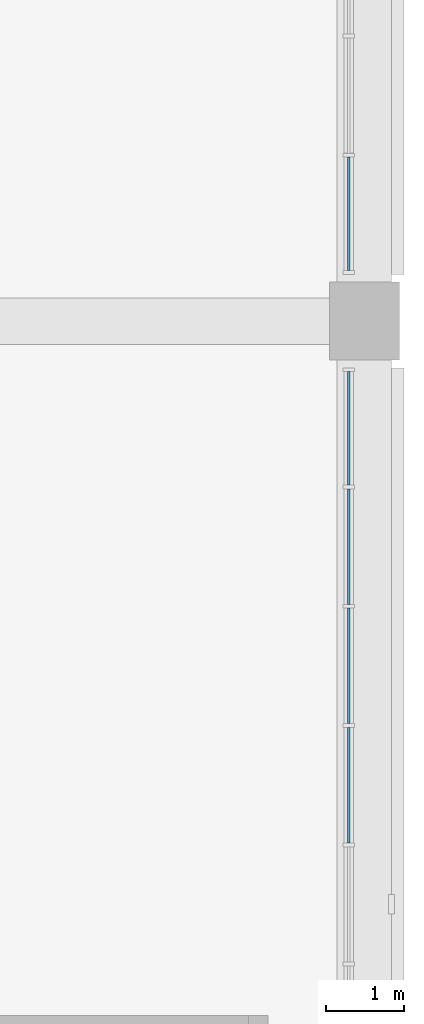
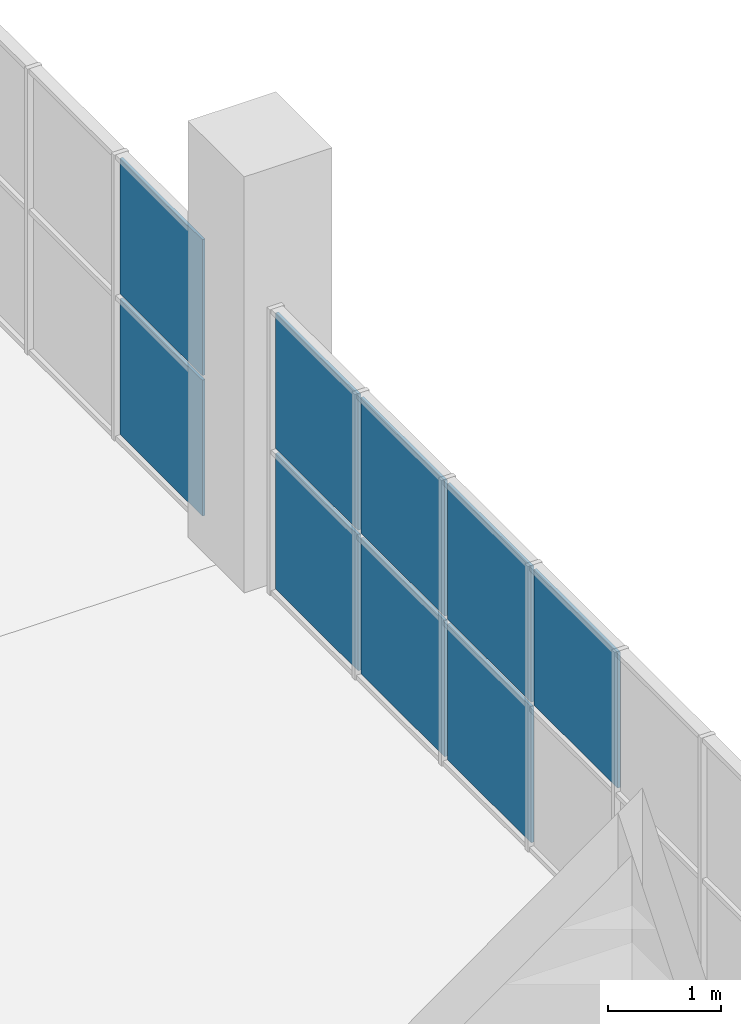
# One storey, part 74 of 249: 9 plates, 2 elements without a shape of their own.
"""IFC4 building model written with IfcOpenShell, lengths in metres."""

from ifc_helpers import new_model, si_unit, direction, frame, origin, origin_2d, place, context, subcontext, project, spatial, rectangle, extrude, material, layer, layer_set, type_object, element, aggregate, save


model = new_model("IFC4")

# Units and contexts
model_context = context("Model", 3, precision=1e-05, world=origin(), true_north=direction((0.0, 1.0)))
body_context = subcontext(model_context, "Body", "Model", "MODEL_VIEW")
ifc_project = project(units=[si_unit("LENGTHUNIT", "METRE"), si_unit("AREAUNIT", "SQUARE_METRE"), si_unit("VOLUMEUNIT", "CUBIC_METRE"), si_unit("PLANEANGLEUNIT", "RADIAN"), si_unit("MASSUNIT", "GRAM", prefix="KILO")], contexts=[model_context])

# Site, building, storey
site_placement = place(None, origin())
site = spatial("IfcSite", under=ifc_project, at=site_placement, CompositionType="ELEMENT")
building_placement = place(site_placement, origin())
building = spatial("IfcBuilding", under=site, at=building_placement, Name="Ogive Plaza Stadium", CompositionType="ELEMENT")
storey_placement = place(building_placement, frame((0.0, 0.0, 13.5)))
storey = spatial("IfcBuildingStorey", under=building, at=storey_placement, Name="L03", CompositionType="ELEMENT", Elevation=13.5)

# Curtain wall, plates
ifc_material_1 = material(Name="Bronze-anodised aluminium with laminated glass", Category="aluminium")
curtain_wall_type = type_object("IfcCurtainWallType", Name="Lancet curtain wall", PredefinedType="NOTDEFINED", material=ifc_material_1)
curtain_wall_1_placement = place(storey_placement, origin())
curtain_wall_1 = element("IfcCurtainWall", 1, at=curtain_wall_1_placement, inside=storey, type_object=curtain_wall_type, Name="CURTAIN WALL B02 L03", PredefinedType="NOTDEFINED")
ifc_material_2 = material(Name="Laminated glass", Category="glass")
ifc_layer = layer(ifc_material_2, 0.028076171875)
ifc_layer_set = layer_set([ifc_layer], Name="Laminated glass panel 28")
plate_type = type_object("IfcPlateType", Name="Laminated glass panel 28", PredefinedType="CURTAIN_PANEL", material=ifc_layer_set)
plate_1_placement = place(storey_placement, frame((83.800048828125, 23.879150390625, 0.0498046875), z_axis=(0.0, 0.0, 1.0), x_axis=(0.0, -1.0, 0.0)))
plate_1 = element("IfcPlate", 2, at=plate_1_placement, type_object=plate_type, Name="CW-B02-L03 panel 9.1", PredefinedType="CURTAIN_PANEL", context=body_context, shape_type="SweptSolid", body=[
    extrude(rectangle(XDim=1.458251953125, YDim=0.028076171875, at=origin_2d()), origin(), (0.0, 0.0, 1.0), 1.469970703125),
])
plate_2_placement = place(storey_placement, frame((83.800048828125, 23.879150390625, 1.56982421875), z_axis=(0.0, 0.0, 1.0), x_axis=(0.0, -1.0, 0.0)))
plate_2 = element("IfcPlate", 3, at=plate_2_placement, type_object=plate_type, Name="CW-B02-L03 panel 9.2", PredefinedType="CURTAIN_PANEL", context=body_context, shape_type="SweptSolid", body=[
    extrude(rectangle(XDim=1.458251953125, YDim=0.028076171875, at=origin_2d()), origin(), (0.0, 0.0, 1.0), 1.469970703125),
])
aggregate(curtain_wall_1, [plate_1, plate_2])

curtain_wall_2_placement = place(storey_placement, origin())
curtain_wall_2 = element("IfcCurtainWall", 4, at=curtain_wall_2_placement, inside=storey, type_object=curtain_wall_type, Name="CURTAIN WALL B03 L03", PredefinedType="NOTDEFINED")
plate_3_placement = place(storey_placement, frame((83.800048828125, 21.120849609375, 0.0498046875), z_axis=(0.0, 0.0, 1.0), x_axis=(0.0, -1.0, 0.0)))
plate_3 = element("IfcPlate", 5, at=plate_3_placement, type_object=plate_type, Name="CW-B03-L03 panel 1.1", PredefinedType="CURTAIN_PANEL", context=body_context, shape_type="SweptSolid", body=[
    extrude(rectangle(XDim=1.458251953125, YDim=0.028076171875, at=origin_2d()), origin(), (0.0, 0.0, 1.0), 1.469970703125),
])
plate_4_placement = place(storey_placement, frame((83.800048828125, 21.120849609375, 1.56982421875), z_axis=(0.0, 0.0, 1.0), x_axis=(0.0, -1.0, 0.0)))
plate_4 = element("IfcPlate", 6, at=plate_4_placement, type_object=plate_type, Name="CW-B03-L03 panel 1.2", PredefinedType="CURTAIN_PANEL", context=body_context, shape_type="SweptSolid", body=[
    extrude(rectangle(XDim=1.458251953125, YDim=0.028076171875, at=origin_2d()), origin(), (0.0, 0.0, 1.0), 1.469970703125),
])
plate_5_placement = place(storey_placement, frame((83.800048828125, 19.60009765625, 0.0498046875), z_axis=(0.0, 0.0, 1.0), x_axis=(0.0, -1.0, 0.0)))
plate_5 = element("IfcPlate", 7, at=plate_5_placement, type_object=plate_type, Name="CW-B03-L03 panel 2.1", PredefinedType="CURTAIN_PANEL", context=body_context, shape_type="SweptSolid", body=[
    extrude(rectangle(XDim=1.4833984375, YDim=0.028076171875, at=origin_2d()), origin(), (0.0, 0.0, 1.0), 1.469970703125),
])
plate_6_placement = place(storey_placement, frame((83.800048828125, 19.60009765625, 1.56982421875), z_axis=(0.0, 0.0, 1.0), x_axis=(0.0, -1.0, 0.0)))
plate_6 = element("IfcPlate", 8, at=plate_6_placement, type_object=plate_type, Name="CW-B03-L03 panel 2.2", PredefinedType="CURTAIN_PANEL", context=body_context, shape_type="SweptSolid", body=[
    extrude(rectangle(XDim=1.4833984375, YDim=0.028076171875, at=origin_2d()), origin(), (0.0, 0.0, 1.0), 1.469970703125),
])
plate_7_placement = place(storey_placement, frame((83.800048828125, 18.066650390625, 0.0498046875), z_axis=(0.0, 0.0, 1.0), x_axis=(0.0, -1.0, 0.0)))
plate_7 = element("IfcPlate", 9, at=plate_7_placement, type_object=plate_type, Name="CW-B03-L03 panel 3.1", PredefinedType="CURTAIN_PANEL", context=body_context, shape_type="SweptSolid", body=[
    extrude(rectangle(XDim=1.4833984375, YDim=0.028076171875, at=origin_2d()), origin(), (0.0, 0.0, 1.0), 1.469970703125),
])
plate_8_placement = place(storey_placement, frame((83.800048828125, 18.066650390625, 1.56982421875), z_axis=(0.0, 0.0, 1.0), x_axis=(0.0, -1.0, 0.0)))
plate_8 = element("IfcPlate", 10, at=plate_8_placement, type_object=plate_type, Name="CW-B03-L03 panel 3.2", PredefinedType="CURTAIN_PANEL", context=body_context, shape_type="SweptSolid", body=[
    extrude(rectangle(XDim=1.4833984375, YDim=0.028076171875, at=origin_2d()), origin(), (0.0, 0.0, 1.0), 1.469970703125),
])
plate_9_placement = place(storey_placement, frame((83.800048828125, 16.533447265625, 1.56982421875), z_axis=(0.0, 0.0, 1.0), x_axis=(0.0, -1.0, 0.0)))
plate_9 = element("IfcPlate", 11, at=plate_9_placement, type_object=plate_type, Name="CW-B03-L03 panel 4.2", PredefinedType="CURTAIN_PANEL", context=body_context, shape_type="SweptSolid", body=[
    extrude(rectangle(XDim=1.4833984375, YDim=0.028076171875, at=origin_2d()), origin(), (0.0, 0.0, 1.0), 1.469970703125),
])
aggregate(curtain_wall_2, [plate_3, plate_4, plate_5, plate_6, plate_7, plate_8, plate_9])

save(model, "model.ifc")
